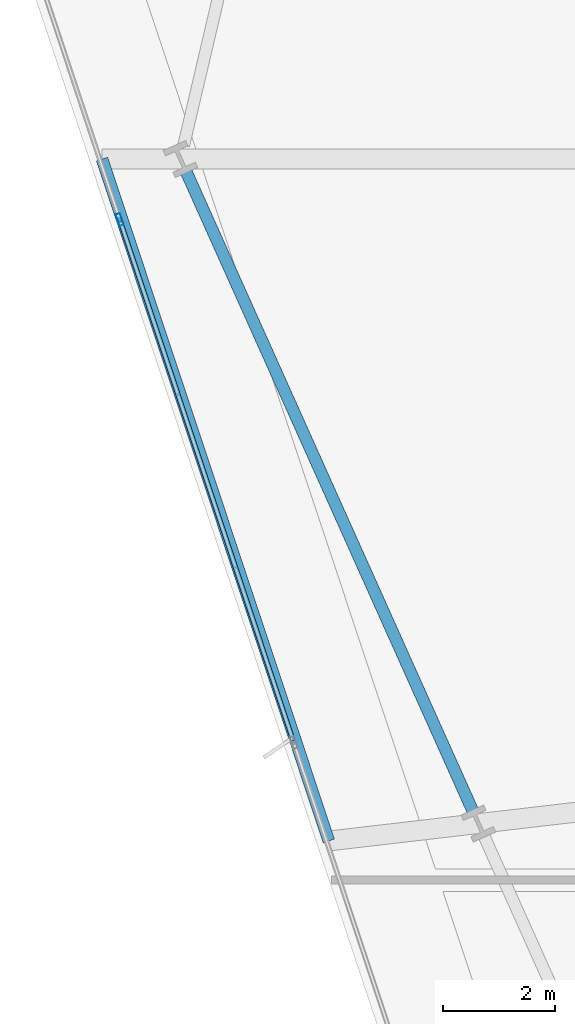
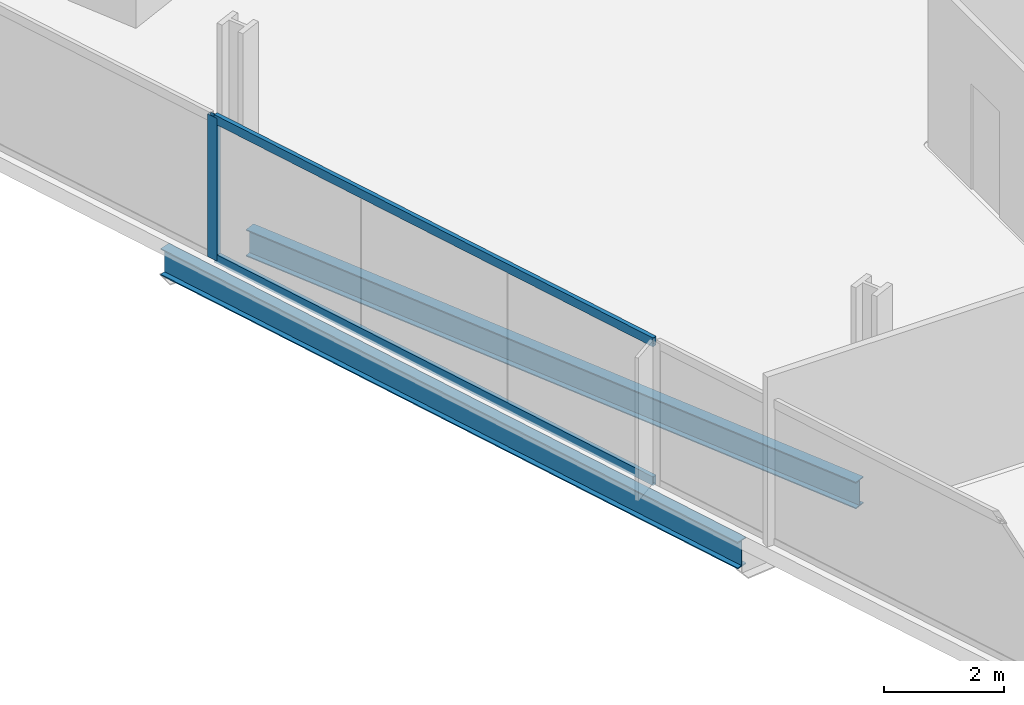
# One storey, part 6 of 34: 3 members, 2 beams, 1 element without a shape of its own.
"""IFC4 building model written with IfcOpenShell, lengths in metres."""

from ifc_helpers import new_model, si_unit, direction, frame, origin, origin_2d, place, context, subcontext, project, spatial, hollow_rectangle, i_section, extrude, material, material_profile, profile_set, type_object, element, aggregate, save


model = new_model("IFC4")

# Units and contexts
model_context = context("Model", 3, precision=1e-05, world=origin(), true_north=direction((0.0, 1.0)))
body_context = subcontext(model_context, "Body", "Model", "MODEL_VIEW")
ifc_project = project(units=[si_unit("LENGTHUNIT", "METRE"), si_unit("AREAUNIT", "SQUARE_METRE"), si_unit("VOLUMEUNIT", "CUBIC_METRE"), si_unit("PLANEANGLEUNIT", "RADIAN"), si_unit("MASSUNIT", "GRAM", prefix="KILO")], contexts=[model_context])

# Site, building, storey
site_placement = place(None, origin())
site = spatial("IfcSite", under=ifc_project, at=site_placement, CompositionType="ELEMENT")
building_placement = place(site_placement, origin())
building = spatial("IfcBuilding", under=site, at=building_placement, Name="Haldenkirk Collegiate Tower", CompositionType="ELEMENT")
storey_placement = place(building_placement, frame((0.0, 0.0, 90.449951171875)))
storey = spatial("IfcBuildingStorey", under=building, at=storey_placement, Name="L21", CompositionType="ELEMENT", Elevation=90.449951171875)

# Beams
ifc_material_1 = material(Name="Steel ASTM A992 Grade 50", Category="steel")
ifc_material_profile_1 = material_profile(ifc_material_1, i_section(OverallWidth=0.2119140625, OverallDepth=0.5439453125, WebThickness=0.01318359375, FlangeThickness=0.021240234375, at=origin_2d()), Name="W21X83")
ifc_profile_set_1 = profile_set([ifc_material_profile_1], Name="Steel ASTM A992 Grade 50")
beam_type = type_object("IfcBeamType", Name="BM-SPANDREL-W21X83", PredefinedType="SPANDREL", material=ifc_profile_set_1)
beam_1_placement = place(storey_placement, frame((9.418212890625, 28.212890625, -0.572021484375), z_axis=(0.409115233697, -0.912482726169, 0.0), x_axis=(0.912482726169, 0.409115233697, 0.0)))
element("IfcBeam", 1, at=beam_1_placement, inside=storey, type_object=beam_type, Name="L21 perimeter spandrel beam 14", PredefinedType="SPANDREL", context=body_context, shape_type="SweptSolid", body=[
    extrude(i_section(OverallWidth=0.2119140625, OverallDepth=0.5439453125, WebThickness=0.01318359375, FlangeThickness=0.021240234375, at=origin_2d()), origin(), (0.0, 0.0, 1.0), 12.524169921875),
])
beam_2_placement = place(storey_placement, frame((7.9150390625, 28.436767578125, -0.572021484375), z_axis=(0.315651756384, -0.948875107004, 0.0), x_axis=(0.948875107004, 0.315651756384, 0.0)))
element("IfcBeam", 2, at=beam_2_placement, inside=storey, type_object=beam_type, Name="L21 outer facade edge beam 4", PredefinedType="SPANDREL", context=body_context, shape_type="SweptSolid", body=[
    extrude(i_section(OverallWidth=0.2119140625, OverallDepth=0.5439453125, WebThickness=0.01318359375, FlangeThickness=0.021240234375, at=origin_2d()), origin(), (0.0, 0.0, 1.0), 12.843994140625),
])

# Curtain wall, members
ifc_material_2 = material(Name="Anodised architectural bronze aluminium", Category="aluminium")
curtain_wall_type = type_object("IfcCurtainWallType", Name="CW-SYS1-CONVEX-LOW", PredefinedType="USERDEFINED", material=ifc_material_2)
curtain_wall_placement = place(storey_placement, origin())
curtain_wall = element("IfcCurtainWall", 3, at=curtain_wall_placement, inside=storey, type_object=curtain_wall_type, Name="L21 Lower tower convex bronze-framed unitised curtain wall", ObjectType="UNITISED CURTAIN WALL", PredefinedType="USERDEFINED")
ifc_material_profile_2 = material_profile(ifc_material_2, hollow_rectangle(XDim=0.080078125, YDim=0.219970703125, WallThickness=0.0048828125, at=origin_2d()), Name="CW-MUL-1A")
ifc_profile_set_2 = profile_set([ifc_material_profile_2], Name="Anodised architectural bronze aluminium")
member_type_1 = type_object("IfcMemberType", Name="CW-MUL-1A", PredefinedType="MULLION", material=ifc_profile_set_2)
member_1_placement = place(storey_placement, frame((8.23291015625, 27.3544921875, 0.0), z_axis=(0.0, 0.0, 1.0), x_axis=(-0.948875761641, -0.315649788486, 0.0)))
member_1 = element("IfcMember", 4, at=member_1_placement, type_object=member_type_1, Name="CW-1A mullion 4", PredefinedType="MULLION", context=body_context, shape_type="SweptSolid", body=[
    extrude(hollow_rectangle(XDim=0.080078125, YDim=0.219970703125, WallThickness=0.0048828125, at=origin_2d()), origin(), (0.0, 0.0, 1.0), 2.901123046875),
])
ifc_material_profile_3 = material_profile(ifc_material_2, hollow_rectangle(XDim=0.080078125, YDim=0.179931640625, WallThickness=0.0048828125, at=origin_2d()), Name="CW-TRN-1A")
ifc_profile_set_3 = profile_set([ifc_material_profile_3], Name="Anodised architectural bronze aluminium")
member_type_2 = type_object("IfcMemberType", Name="CW-TRN-1A", PredefinedType="USERDEFINED", material=ifc_profile_set_3)
member_2_placement = place(storey_placement, frame((11.329345703125, 18.046142578125, 0.0400390625), z_axis=(-0.315657965353, 0.948873041512, 0.0), x_axis=(-0.948873041512, -0.315657965353, 0.0)))
member_2 = element("IfcMember", 5, at=member_2_placement, type_object=member_type_2, Name="CW-1A transom 3.1", ObjectType="TRANSOM", PredefinedType="USERDEFINED", context=body_context, shape_type="SweptSolid", body=[
    extrude(hollow_rectangle(XDim=0.080078125, YDim=0.179931640625, WallThickness=0.0048828125, at=origin_2d()), origin(), (0.0, 0.0, 1.0), 9.77001953125),
])
member_3_placement = place(storey_placement, frame((11.329345703125, 18.046142578125, 2.861083984375), z_axis=(-0.315657965353, 0.948873041512, 0.0), x_axis=(-0.948873041512, -0.315657965353, 0.0)))
member_3 = element("IfcMember", 6, at=member_3_placement, type_object=member_type_2, Name="CW-1A transom 3.2", ObjectType="TRANSOM", PredefinedType="USERDEFINED", context=body_context, shape_type="SweptSolid", body=[
    extrude(hollow_rectangle(XDim=0.080078125, YDim=0.179931640625, WallThickness=0.0048828125, at=origin_2d()), origin(), (0.0, 0.0, 1.0), 9.77001953125),
])
aggregate(curtain_wall, [member_1, member_2, member_3])

save(model, "model.ifc")
